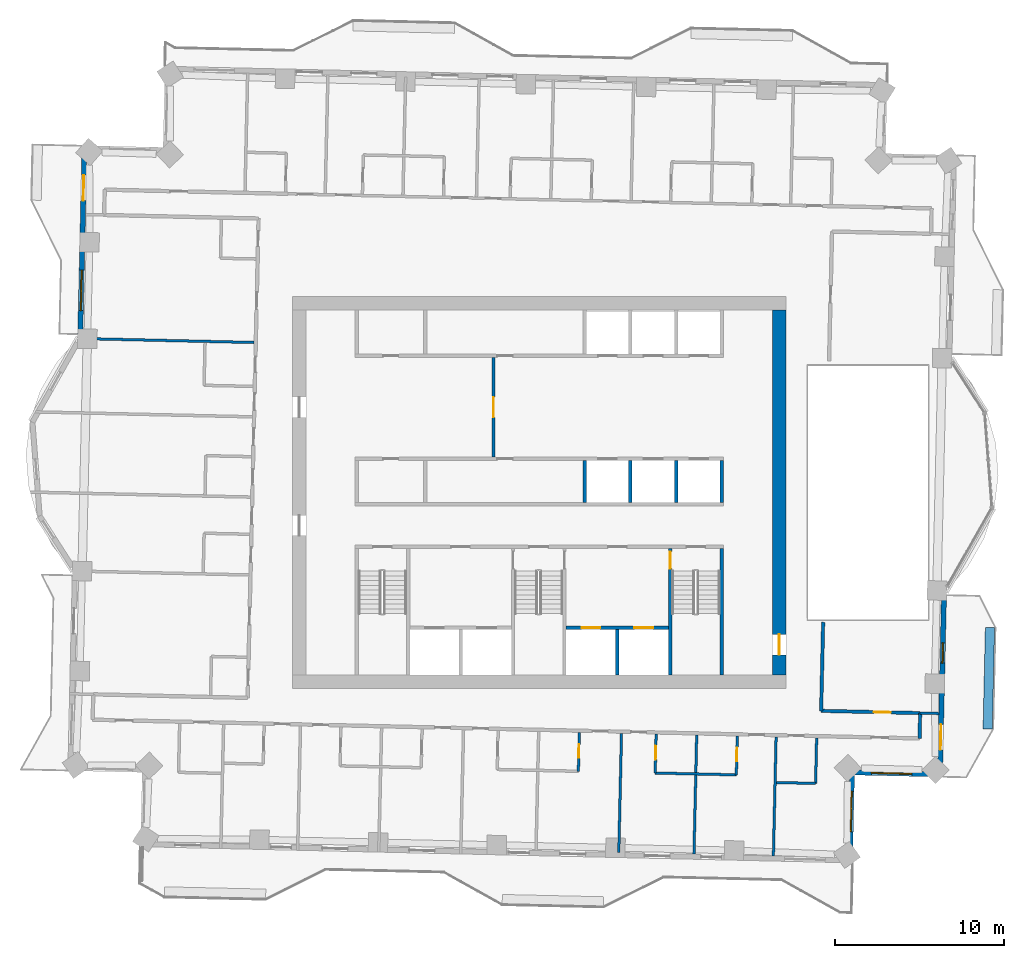
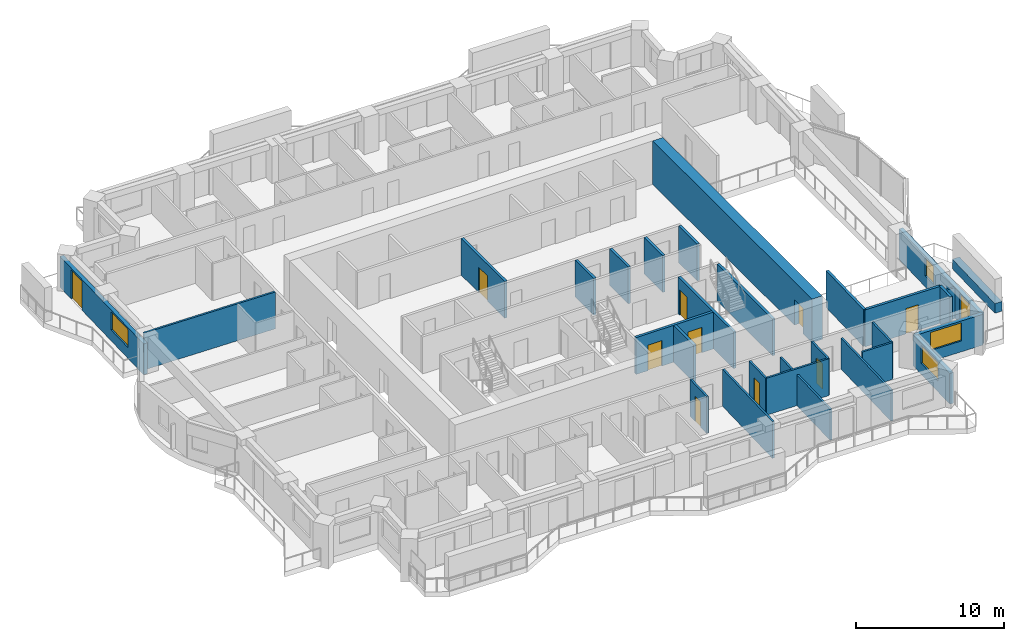
# One storey, part 7 of 14: 29 walls, 11 doors, 4 windows, 15 openings.
"""IFC4 building model written with IfcOpenShell, lengths in metres."""

from ifc_helpers import new_model, si_unit, direction, frame, frame_2d, origin, place, context, subcontext, project, spatial, rectangle, extrude, material, layer, layer_set, type_object, element, fill, save


model = new_model("IFC4")

# Units and contexts
model_context = context("Model", 3, precision=1e-05, world=origin(), true_north=direction((0.0, 1.0)))
body_context = subcontext(model_context, "Body", "Model", "MODEL_VIEW")
ifc_project = project(units=[si_unit("LENGTHUNIT", "METRE"), si_unit("AREAUNIT", "SQUARE_METRE"), si_unit("VOLUMEUNIT", "CUBIC_METRE"), si_unit("PLANEANGLEUNIT", "RADIAN"), si_unit("MASSUNIT", "GRAM", prefix="KILO")], contexts=[model_context])

# Site, building, storey
site_placement = place(None, origin())
site = spatial("IfcSite", under=ifc_project, at=site_placement, CompositionType="ELEMENT")
building_placement = place(site_placement, origin())
building = spatial("IfcBuilding", under=site, at=building_placement, Name="Mangrove Gate Tower", CompositionType="ELEMENT")
storey_placement = place(building_placement, frame((0.0, 0.0, 205.10009765625)))
storey = spatial("IfcBuildingStorey", under=building, at=storey_placement, Name="L52", CompositionType="ELEMENT", Elevation=205.10009765625)

# Wall, opening, door
ifc_material_1 = material(Name="Concrete C32/40", Category="concrete")
ifc_layer_1 = layer(ifc_material_1, 0.199951171875)
ifc_layer_set_1 = layer_set([ifc_layer_1], Name="Core lobby wall 200 C32/40")
wall_type_1 = type_object("IfcWallType", Name="Core lobby wall 200 C32/40", PredefinedType="STANDARD", material=ifc_layer_set_1)
wall_1_placement = place(storey_placement, frame((-2.699951171875, 2.10009765625, 0.0), z_axis=(0.0, 0.0, 1.0), x_axis=(0.0, 1.0, 0.0)))
wall_1 = element("IfcWall", 1, at=wall_1_placement, inside=storey, type_object=wall_type_1, Name="WALL-L52-CORE-31", PredefinedType="STANDARD", context=body_context, shape_type="SweptSolid", body=[
    extrude(rectangle(XDim=5.89990234375, YDim=0.199951171875, at=frame_2d((2.949951171875, 0.0))), origin(), (0.0, 0.0, 1.0), 3.0498046875),
])
opening_1_placement = place(wall_1_placement, frame((2.35009765625, 0.0, 0.0)))
opening_1 = element("IfcOpeningElement", 2, at=opening_1_placement, cuts=wall_1, Name="Opening FL12", PredefinedType="OPENING", context=body_context, shape_type="SweptSolid", body=[
    extrude(rectangle(XDim=1.199951171875, YDim=2.10009765625, at=frame_2d((0.60009765625, 1.050048828125))), frame((0.0, 0.10986328125, 0.0), z_axis=(0.0, -1.0, 0.0), x_axis=(1.0, 0.0, 0.0)), (0.0, 0.0, 1.0), 0.219970703125),
])
ifc_material_2 = material(Name="Fire-rated steel door set", Category="steel")
door_type_1 = type_object("IfcDoorType", Name="Lobby door FD60 1200x2100", OperationType="SINGLE_SWING_LEFT", PredefinedType="DOOR", material=ifc_material_2)
door_1_placement = place(opening_1_placement, origin())
door_1 = element("IfcDoor", 3, at=door_1_placement, inside=storey, type_object=door_type_1, Name="Lobby door lift lobby partition", OperationType="SINGLE_SWING_LEFT", OverallHeight=2.10009765625, OverallWidth=1.199951171875, PredefinedType="DOOR", context=body_context, shape_type="SweptSolid", body=[
    extrude(rectangle(XDim=1.199951171875, YDim=2.10009765625, at=frame_2d((0.60009765625, 1.050048828125))), frame((0.0, 0.02490234375, 0.0), z_axis=(0.0, -1.0, 0.0), x_axis=(1.0, 0.0, 0.0)), (0.0, 0.0, 1.0), 0.050048828125),
])
fill(opening_1, door_1)

# Wall, openings, doors
ifc_material_3 = material(Name="Concrete C60/75", Category="concrete")
ifc_layer_2 = layer(ifc_material_3, 0.199951171875)
ifc_layer_set_2 = layer_set([ifc_layer_2], Name="Core shaft wall 200 C60/75")
wall_type_2 = type_object("IfcWallType", Name="Core shaft wall 200 C60/75", PredefinedType="SHEAR", material=ifc_layer_set_2)
wall_2_placement = place(storey_placement, frame((1.60009765625, -8.0, 0.0), z_axis=(0.0, 0.0, 1.0), x_axis=(1.0, 0.0, 0.0)))
wall_2 = element("IfcWall", 4, at=wall_2_placement, inside=storey, type_object=wall_type_2, Name="WALL-L52-CORE-17", PredefinedType="SHEAR", context=body_context, shape_type="SweptSolid", body=[
    extrude(rectangle(XDim=6.0498046875, YDim=0.199951171875, at=frame_2d((3.02490234375, 0.0))), origin(), (0.0, 0.0, 1.0), 3.0498046875),
])
opening_2_placement = place(wall_2_placement, frame((0.91259765625, 0.0, 0.0)))
opening_2 = element("IfcOpeningElement", 5, at=opening_2_placement, cuts=wall_2, Name="Opening LD", PredefinedType="OPENING", context=body_context, shape_type="SweptSolid", body=[
    extrude(rectangle(XDim=1.10009765625, YDim=2.10009765625, at=frame_2d((0.550048828125, 1.050048828125))), frame((0.0, 0.10986328125, 0.0), z_axis=(0.0, -1.0, 0.0), x_axis=(1.0, 0.0, 0.0)), (0.0, 0.0, 1.0), 0.219970703125),
])
opening_3_placement = place(wall_2_placement, frame((4.03759765625, 0.0, 0.0)))
opening_3 = element("IfcOpeningElement", 6, at=opening_3_placement, cuts=wall_2, Name="Opening LD", PredefinedType="OPENING", context=body_context, shape_type="SweptSolid", body=[
    extrude(rectangle(XDim=1.10009765625, YDim=2.10009765625, at=frame_2d((0.550048828125, 1.050048828125))), frame((0.0, 0.10986328125, 0.0), z_axis=(0.0, -1.0, 0.0), x_axis=(1.0, 0.0, 0.0)), (0.0, 0.0, 1.0), 0.219970703125),
])
ifc_material_4 = material(Name="Stainless steel 316", Category="steel")
door_type_2 = type_object("IfcDoorType", Name="Lift landing door 1100x2100", OperationType="SLIDING_TO_LEFT", PredefinedType="DOOR", material=ifc_material_4)
door_2_placement = place(opening_2_placement, origin())
door_2 = element("IfcDoor", 7, at=door_2_placement, inside=storey, type_object=door_type_2, Name="Landing door LD FFL1", OperationType="SLIDING_TO_LEFT", OverallHeight=2.10009765625, OverallWidth=1.10009765625, PredefinedType="DOOR", context=body_context, shape_type="SweptSolid", body=[
    extrude(rectangle(XDim=1.10009765625, YDim=2.10009765625, at=frame_2d((0.550048828125, 1.050048828125))), frame((0.0, 0.02490234375, 0.0), z_axis=(0.0, -1.0, 0.0), x_axis=(1.0, 0.0, 0.0)), (0.0, 0.0, 1.0), 0.050048828125),
])
fill(opening_2, door_2)
door_3_placement = place(opening_3_placement, origin())
door_3 = element("IfcDoor", 8, at=door_3_placement, inside=storey, type_object=door_type_2, Name="Landing door LD FFL2", OperationType="SLIDING_TO_LEFT", OverallHeight=2.10009765625, OverallWidth=1.10009765625, PredefinedType="DOOR", context=body_context, shape_type="SweptSolid", body=[
    extrude(rectangle(XDim=1.10009765625, YDim=2.10009765625, at=frame_2d((0.550048828125, 1.050048828125))), frame((0.0, 0.02490234375, 0.0), z_axis=(0.0, -1.0, 0.0), x_axis=(1.0, 0.0, 0.0)), (0.0, 0.0, 1.0), 0.050048828125),
])
fill(opening_3, door_3)

# Walls
wall_3_placement = place(storey_placement, frame((4.625, -10.800048828125, 0.0), z_axis=(0.0, 0.0, 1.0), x_axis=(0.0, 1.0, 0.0)))
element("IfcWall", 9, at=wall_3_placement, inside=storey, type_object=wall_type_2, Name="WALL-L52-CORE-18", PredefinedType="SHEAR", context=body_context, shape_type="SweptSolid", body=[
    extrude(rectangle(XDim=2.699951171875, YDim=0.199951171875, at=frame_2d((1.35009765625, 0.0))), origin(), (0.0, 0.0, 1.0), 3.0498046875),
])
for number, where, z_axis, x_axis, name in (
    (10, (2.699951171875, -0.60009765625, 0.0), (0.0, 0.0, 1.0), (0.0, 1.0, 0.0), "WALL-L52-CORE-21"),
    (11, (5.39990234375, -0.60009765625, 0.0), (0.0, 0.0, 1.0), (0.0, 1.0, 0.0), "WALL-L52-CORE-22"),
    (12, (8.10009765625, -0.60009765625, 0.0), (0.0, 0.0, 1.0), (0.0, 1.0, 0.0), "WALL-L52-CORE-23"),
    (13, (10.800048828125, -0.60009765625, 0.0), (0.0, 0.0, 1.0), (0.0, 1.0, 0.0), "WALL-L52-CORE-24"),
):
    element("IfcWall", number, at=place(storey_placement, frame(where, z_axis=z_axis, x_axis=x_axis)), inside=storey, type_object=wall_type_2, Name=name, PredefinedType="SHEAR", context=body_context, shape_type="SweptSolid", body=[
        extrude(rectangle(XDim=2.5, YDim=0.199951171875, at=frame_2d((1.25, 0.0))), origin(), (0.0, 0.0, 1.0), 3.0498046875),
    ])

# Wall, opening, door
ifc_material_5 = material(Name="Concrete C60/75", Category="concrete")
ifc_layer_3 = layer(ifc_material_5, 0.199951171875)
ifc_layer_set_3 = layer_set([ifc_layer_3], Name="Core stair wall 200 C60/75")
wall_type_3 = type_object("IfcWallType", Name="Core stair wall 200 C60/75", PredefinedType="SHEAR", material=ifc_layer_set_3)
wall_4_placement = place(storey_placement, frame((7.75, -10.800048828125, 0.0), z_axis=(0.0, 0.0, 1.0), x_axis=(0.0, 1.0, 0.0)))
wall_4 = element("IfcWall", 14, at=wall_4_placement, inside=storey, type_object=wall_type_3, Name="WALL-L52-CORE-13", PredefinedType="SHEAR", context=body_context, shape_type="SweptSolid", body=[
    extrude(rectangle(XDim=7.5, YDim=0.199951171875, at=frame_2d((3.75, 0.0))), origin(), (0.0, 0.0, 1.0), 3.0498046875),
])
opening_4_placement = place(wall_4_placement, frame((6.300048828125, 0.0, 0.0)))
opening_4 = element("IfcOpeningElement", 15, at=opening_4_placement, cuts=wall_4, Name="Opening STD10", PredefinedType="OPENING", context=body_context, shape_type="SweptSolid", body=[
    extrude(rectangle(XDim=1.0, YDim=2.10009765625, at=frame_2d((0.5, 1.050048828125))), frame((0.0, 0.10986328125, 0.0), z_axis=(0.0, -1.0, 0.0), x_axis=(1.0, 0.0, 0.0)), (0.0, 0.0, 1.0), 0.219970703125),
])
ifc_material_6 = material(Name="Fire-rated steel door set", Category="steel")
door_type_3 = type_object("IfcDoorType", Name="Stair door FD60 1000x2100", OperationType="SINGLE_SWING_RIGHT", PredefinedType="DOOR", material=ifc_material_6)
door_4_placement = place(opening_4_placement, origin())
door_4 = element("IfcDoor", 16, at=door_4_placement, inside=storey, type_object=door_type_3, Name="Stair door Stair 3 from fire-fighting lobby", OperationType="SINGLE_SWING_RIGHT", OverallHeight=2.10009765625, OverallWidth=1.0, PredefinedType="DOOR", context=body_context, shape_type="SweptSolid", body=[
    extrude(rectangle(XDim=1.0, YDim=2.10009765625, at=frame_2d((0.5, 1.050048828125))), frame((0.0, 0.02490234375, 0.0), z_axis=(0.0, -1.0, 0.0), x_axis=(1.0, 0.0, 0.0)), (0.0, 0.0, 1.0), 0.050048828125),
])
fill(opening_4, door_4)

# Wall
wall_5_placement = place(storey_placement, frame((10.800048828125, -10.800048828125, 0.0), z_axis=(0.0, 0.0, 1.0), x_axis=(0.0, 1.0, 0.0)))
element("IfcWall", 17, at=wall_5_placement, inside=storey, type_object=wall_type_3, Name="WALL-L52-CORE-14", PredefinedType="SHEAR", context=body_context, shape_type="SweptSolid", body=[
    extrude(rectangle(XDim=7.5, YDim=0.199951171875, at=frame_2d((3.75, 0.0))), origin(), (0.0, 0.0, 1.0), 3.0498046875),
])

# Wall, opening, door
ifc_material_7 = material(Name="Concrete C60/75", Category="concrete")
ifc_layer_4 = layer(ifc_material_7, 0.800048828125)
ifc_layer_set_4 = layer_set([ifc_layer_4], Name="Core wall 800 C60/75")
wall_type_4 = type_object("IfcWallType", Name="Core wall 800 C60/75", PredefinedType="SHEAR", material=ifc_layer_set_4)
wall_6_placement = place(storey_placement, frame((14.199951171875, -10.800048828125, 0.0), z_axis=(0.0, 0.0, 1.0), x_axis=(0.0, 1.0, 0.0)))
wall_6 = element("IfcWall", 18, at=wall_6_placement, inside=storey, type_object=wall_type_4, Name="WALL-L52-CORE-4", PredefinedType="SHEAR", context=body_context, shape_type="SweptSolid", body=[
    extrude(rectangle(XDim=21.60009765625, YDim=0.800048828125, at=frame_2d((10.800048828125, 0.0))), origin(), (0.0, 0.0, 1.0), 3.599853515625),
])
opening_5_placement = place(wall_6_placement, frame((1.199951171875, 0.0, 0.0)))
opening_5 = element("IfcOpeningElement", 19, at=opening_5_placement, cuts=wall_6, Name="Opening CD", PredefinedType="OPENING", context=body_context, shape_type="SweptSolid", body=[
    extrude(rectangle(XDim=1.199951171875, YDim=2.10009765625, at=frame_2d((0.60009765625, 1.050048828125))), frame((0.0, 0.409912109375, 0.0), z_axis=(0.0, -1.0, 0.0), x_axis=(1.0, 0.0, 0.0)), (0.0, 0.0, 1.0), 0.820068359375),
])
ifc_material_8 = material(Name="Fire-rated steel door set", Category="steel")
door_type_4 = type_object("IfcDoorType", Name="Core ring door FD60 1200x2100", OperationType="DOUBLE_DOOR_SINGLE_SWING", PredefinedType="DOOR", material=ifc_material_8)
door_5_placement = place(opening_5_placement, origin())
door_5 = element("IfcDoor", 20, at=door_5_placement, inside=storey, type_object=door_type_4, Name="Core ring door E1", OperationType="DOUBLE_DOOR_SINGLE_SWING", OverallHeight=2.10009765625, OverallWidth=1.199951171875, PredefinedType="DOOR", context=body_context, shape_type="SweptSolid", body=[
    extrude(rectangle(XDim=1.199951171875, YDim=2.10009765625, at=frame_2d((0.60009765625, 1.050048828125))), frame((0.0, 0.02490234375, 0.0), z_axis=(0.0, -1.0, 0.0), x_axis=(1.0, 0.0, 0.0)), (0.0, 0.0, 1.0), 0.050048828125),
])
fill(opening_5, door_5)

# Wall
ifc_material_9 = material(Name="Gypsum board on steel stud, EI 60", Category="steel")
ifc_layer_5 = layer(ifc_material_9, 0.199951171875)
ifc_layer_set_5 = layer_set([ifc_layer_5], Name="Corridor wall EI 60")
wall_type_5 = type_object("IfcWallType", Name="Corridor wall EI 60", PredefinedType="PARTITIONING", material=ifc_layer_set_5)
wall_7_placement = place(storey_placement, frame((22.509033203125, -14.551025390625, 0.0), z_axis=(0.0, 0.0, 1.0), x_axis=(0.022632637625, 0.99974384905, 0.0)))
element("IfcWall", 21, at=wall_7_placement, inside=storey, type_object=wall_type_5, Name="WALL-L52-026", PredefinedType="PARTITIONING", context=body_context, shape_type="SweptSolid", body=[
    extrude(rectangle(XDim=1.49951171875, YDim=0.199951171875, at=frame_2d((0.749755859375, 0.0))), origin(), (0.0, 0.0, 1.0), 3.0498046875),
])

# Wall, opening, door
wall_8_placement = place(storey_placement, frame((16.678955078125, -12.91796875, 0.0), z_axis=(0.0, 0.0, 1.0), x_axis=(0.999739057042, -0.022843332181, 0.0)))
wall_8 = element("IfcWall", 22, at=wall_8_placement, inside=storey, type_object=wall_type_5, Name="WALL-L52-031", PredefinedType="PARTITIONING", context=body_context, shape_type="SweptSolid", body=[
    extrude(rectangle(XDim=5.867431640625, YDim=0.199951171875, at=frame_2d((2.93359375, 0.0))), origin(), (0.0, 0.0, 1.0), 3.0498046875),
])
opening_6_placement = place(wall_8_placement, frame((3.134033203125, 0.0, 0.0)))
opening_6 = element("IfcOpeningElement", 23, at=opening_6_placement, cuts=wall_8, Name="Opening AD", PredefinedType="OPENING", context=body_context, shape_type="SweptSolid", body=[
    extrude(rectangle(XDim=1.0, YDim=2.10009765625, at=frame_2d((0.5, 1.050048828125))), frame((0.0, 0.10986328125, 0.0), z_axis=(0.0, -1.0, 0.0), x_axis=(1.0, 0.0, 0.0)), (0.0, 0.0, 1.0), 0.219970703125),
])
ifc_material_10 = material(Name="Timber door leaf", Category="wood")
door_type_5 = type_object("IfcDoorType", Name="Amenity door 1000", OperationType="SINGLE_SWING_LEFT", PredefinedType="DOOR", material=ifc_material_10)
door_6_placement = place(opening_6_placement, origin())
door_6 = element("IfcDoor", 24, at=door_6_placement, inside=storey, type_object=door_type_5, Name="DOOR-L52-LNG-c3a", OperationType="SINGLE_SWING_LEFT", OverallHeight=2.10009765625, OverallWidth=1.0, PredefinedType="DOOR", context=body_context, shape_type="SweptSolid", body=[
    extrude(rectangle(XDim=1.0, YDim=2.10009765625, at=frame_2d((0.5, 1.050048828125))), frame((0.0, 0.02490234375, 0.0), z_axis=(0.0, -1.0, 0.0), x_axis=(1.0, 0.0, 0.0)), (0.0, 0.0, 1.0), 0.050048828125),
])
fill(opening_6, door_6)

# Wall
wall_9_placement = place(storey_placement, frame((16.68408203125, -12.9189453125, 0.0), z_axis=(0.0, 0.0, 1.0), x_axis=(0.022667483124, 0.999743059595, 0.0)))
element("IfcWall", 25, at=wall_9_placement, inside=storey, type_object=wall_type_5, Name="WALL-L52-032", PredefinedType="PARTITIONING", context=body_context, shape_type="SweptSolid", body=[
    extrude(rectangle(XDim=5.245361328125, YDim=0.199951171875, at=frame_2d((2.62255859375, 0.0))), origin(), (0.0, 0.0, 1.0), 3.0498046875),
])

# Wall, openings, door, window
ifc_material_11 = material(Name="Limestone", Category="masonry")
ifc_layer_6 = layer(ifc_material_11, 0.0400390625, Name="Limestone cladding")
ifc_material_12 = material(Name="Ventilated air gap")
ifc_layer_7 = layer(ifc_material_12, 0.0400390625, Name="Ventilated cavity")
ifc_material_13 = material(Name="Mineral wool insulation")
ifc_layer_8 = layer(ifc_material_13, 0.06005859375, Name="Insulation")
ifc_material_14 = material(Name="Breather membrane")
ifc_layer_9 = layer(ifc_material_14, 0.001953125, Name="Breather membrane")
ifc_material_15 = material(Name="Concrete C20/25 blockwork", Category="masonry")
ifc_layer_10 = layer(ifc_material_15, 0.14990234375, Name="Blockwork backing wall")
ifc_material_16 = material(Name="Gypsum plaster")
ifc_layer_11 = layer(ifc_material_16, 0.008056640625, Name="Internal plaster")
ifc_layer_set_6 = layer_set([ifc_layer_6, ifc_layer_7, ifc_layer_8, ifc_layer_9, ifc_layer_10, ifc_layer_11], Name="External wall 300 limestone cladding")
wall_type_6 = type_object("IfcWallType", Name="External wall 300 limestone cladding", PredefinedType="SOLIDWALL", material=ifc_layer_set_6)
wall_10_placement = place(storey_placement, frame((23.712890625, -16.678955078125, 0.0), z_axis=(0.0, 0.0, 1.0), x_axis=(0.022674801414, 0.999742893639, 0.0)))
wall_10 = element("IfcWall", 26, at=wall_10_placement, inside=storey, type_object=wall_type_6, Name="WALL-L52-E0s1", PredefinedType="SOLIDWALL", context=body_context, shape_type="SweptSolid", body=[
    extrude(rectangle(XDim=11.423828125, YDim=0.300048828125, at=frame_2d((5.7119140625, 0.0))), origin(), (0.0, 0.0, 1.0), 2.5498046875),
])
opening_7_placement = place(wall_10_placement, frame((1.4541015625, 0.0, 0.0)))
opening_7 = element("IfcOpeningElement", 27, at=opening_7_placement, cuts=wall_10, Name="Opening BD1", PredefinedType="OPENING", context=body_context, shape_type="SweptSolid", body=[
    extrude(rectangle(XDim=1.5, YDim=2.39990234375, at=frame_2d((0.75, 1.199951171875))), frame((0.0, 0.159912109375, 0.0), z_axis=(0.0, -1.0, 0.0), x_axis=(1.0, 0.0, 0.0)), (0.0, 0.0, 1.0), 0.320068359375),
])
opening_8_placement = place(wall_10_placement, frame((6.589111328125, 0.0, 0.89990234375)))
opening_8 = element("IfcOpeningElement", 28, at=opening_8_placement, cuts=wall_10, Name="Opening W1", PredefinedType="OPENING", context=body_context, shape_type="SweptSolid", body=[
    extrude(rectangle(XDim=1.199951171875, YDim=1.5, at=frame_2d((0.60009765625, 0.75))), frame((0.0, 0.159912109375, 0.0), z_axis=(0.0, -1.0, 0.0), x_axis=(1.0, 0.0, 0.0)), (0.0, 0.0, 1.0), 0.320068359375),
])
ifc_material_17 = material(Name="Aluminium frame with laminated clear glass", Category="aluminium")
door_type_6 = type_object("IfcDoorType", Name="Balcony sliding door 1500x2400", OperationType="SLIDING_TO_LEFT", PredefinedType="DOOR", material=ifc_material_17)
door_7_placement = place(opening_7_placement, origin())
door_7 = element("IfcDoor", 29, at=door_7_placement, inside=storey, type_object=door_type_6, Name="DOOR-L52-E0-1", OperationType="SLIDING_TO_LEFT", OverallHeight=2.39990234375, OverallWidth=1.5, PredefinedType="DOOR", context=body_context, shape_type="SweptSolid", body=[
    extrude(rectangle(XDim=1.5, YDim=2.39990234375, at=frame_2d((0.75, 1.199951171875))), frame((0.0, 0.02490234375, 0.0), z_axis=(0.0, -1.0, 0.0), x_axis=(1.0, 0.0, 0.0)), (0.0, 0.0, 1.0), 0.050048828125),
])
fill(opening_7, door_7)
ifc_material_18 = material(Name="Aluminium frame with double-glazed low-e glass", Category="aluminium")
window_type_1 = type_object("IfcWindowType", Name="Side lite 1200x1500", PartitioningType="SINGLE_PANEL", PredefinedType="WINDOW", material=ifc_material_18)
window_1_placement = place(opening_8_placement, origin())
window_1 = element("IfcWindow", 30, at=window_1_placement, inside=storey, type_object=window_type_1, Name="WIN-L52-E0-2", OverallHeight=1.5, OverallWidth=1.199951171875, PartitioningType="SINGLE_PANEL", PredefinedType="WINDOW", context=body_context, shape_type="SweptSolid", body=[
    extrude(rectangle(XDim=1.199951171875, YDim=1.5, at=frame_2d((0.60009765625, 0.75))), frame((0.0, 0.030029296875, 0.0), z_axis=(0.0, -1.0, 0.0), x_axis=(1.0, 0.0, 0.0)), (0.0, 0.0, 1.0), 0.06005859375),
])
fill(opening_8, window_1)

wall_11_placement = place(storey_placement, frame((-26.904052734375, 20.37890625, 0.0), z_axis=(0.0, 0.0, 1.0), x_axis=(-0.022671687694, -0.999742964255, 0.0)))
wall_11 = element("IfcWall", 31, at=wall_11_placement, inside=storey, type_object=wall_type_6, Name="WALL-L52-W8s1", PredefinedType="SOLIDWALL", context=body_context, shape_type="SweptSolid", body=[
    extrude(rectangle(XDim=11.82373046875, YDim=0.300048828125, at=frame_2d((5.911865234375, 0.0))), origin(), (0.0, 0.0, 1.0), 2.5498046875),
])
opening_9_placement = place(wall_11_placement, frame((1.60302734375, 0.0, 0.0)))
opening_9 = element("IfcOpeningElement", 32, at=opening_9_placement, cuts=wall_11, Name="Opening BD1", PredefinedType="OPENING", context=body_context, shape_type="SweptSolid", body=[
    extrude(rectangle(XDim=1.5, YDim=2.39990234375, at=frame_2d((0.75, 1.199951171875))), frame((0.0, 0.159912109375, 0.0), z_axis=(0.0, -1.0, 0.0), x_axis=(1.0, 0.0, 0.0)), (0.0, 0.0, 1.0), 0.320068359375),
])
opening_10_placement = place(wall_11_placement, frame((7.218017578125, 0.0, 0.89990234375)))
opening_10 = element("IfcOpeningElement", 33, at=opening_10_placement, cuts=wall_11, Name="Opening W2", PredefinedType="OPENING", context=body_context, shape_type="SweptSolid", body=[
    extrude(rectangle(XDim=2.39990234375, YDim=1.5, at=frame_2d((1.199951171875, 0.75))), frame((0.0, 0.159912109375, 0.0), z_axis=(0.0, -1.0, 0.0), x_axis=(1.0, 0.0, 0.0)), (0.0, 0.0, 1.0), 0.320068359375),
])
door_8_placement = place(opening_9_placement, origin())
door_8 = element("IfcDoor", 34, at=door_8_placement, inside=storey, type_object=door_type_6, Name="DOOR-L52-W8-1", OperationType="SLIDING_TO_LEFT", OverallHeight=2.39990234375, OverallWidth=1.5, PredefinedType="DOOR", context=body_context, shape_type="SweptSolid", body=[
    extrude(rectangle(XDim=1.5, YDim=2.39990234375, at=frame_2d((0.75, 1.199951171875))), frame((0.0, 0.02490234375, 0.0), z_axis=(0.0, -1.0, 0.0), x_axis=(1.0, 0.0, 0.0)), (0.0, 0.0, 1.0), 0.050048828125),
])
fill(opening_9, door_8)
ifc_material_19 = material(Name="Aluminium frame with double-glazed low-e glass", Category="aluminium")
window_type_2 = type_object("IfcWindowType", Name="Corner room window 2400x1500", PartitioningType="DOUBLE_PANEL_VERTICAL", PredefinedType="WINDOW", material=ifc_material_19)
window_2_placement = place(opening_10_placement, origin())
window_2 = element("IfcWindow", 35, at=window_2_placement, inside=storey, type_object=window_type_2, Name="WIN-L52-W8-2", OverallHeight=1.5, OverallWidth=2.39990234375, PartitioningType="DOUBLE_PANEL_VERTICAL", PredefinedType="WINDOW", context=body_context, shape_type="SweptSolid", body=[
    extrude(rectangle(XDim=2.39990234375, YDim=1.5, at=frame_2d((1.199951171875, 0.75))), frame((0.0, 0.030029296875, 0.0), z_axis=(0.0, -1.0, 0.0), x_axis=(1.0, 0.0, 0.0)), (0.0, 0.0, 1.0), 0.06005859375),
])
fill(opening_10, window_2)

# Wall, opening, window
wall_12_placement = place(storey_placement, frame((18.39599609375, -21.760009765625, 0.0), z_axis=(0.0, 0.0, 1.0), x_axis=(0.022675548694, 0.99974287669, 0.0)))
wall_12 = element("IfcWall", 36, at=wall_12_placement, inside=storey, type_object=wall_type_6, Name="WALL-L52-E14", PredefinedType="SOLIDWALL", context=body_context, shape_type="SweptSolid", body=[
    extrude(rectangle(XDim=5.2001953125, YDim=0.300048828125, at=frame_2d((2.60009765625, 0.0))), origin(), (0.0, 0.0, 1.0), 2.5498046875),
])
opening_11_placement = place(wall_12_placement, frame((1.679931640625, 0.0, 0.89990234375)))
opening_11 = element("IfcOpeningElement", 37, at=opening_11_placement, cuts=wall_12, Name="Opening W2", PredefinedType="OPENING", context=body_context, shape_type="SweptSolid", body=[
    extrude(rectangle(XDim=2.39990234375, YDim=1.5, at=frame_2d((1.199951171875, 0.75))), frame((0.0, 0.159912109375, 0.0), z_axis=(0.0, -1.0, 0.0), x_axis=(1.0, 0.0, 0.0)), (0.0, 0.0, 1.0), 0.320068359375),
])
window_3_placement = place(opening_11_placement, origin())
window_3 = element("IfcWindow", 38, at=window_3_placement, inside=storey, type_object=window_type_2, Name="WIN-L52-E14-1", OverallHeight=1.5, OverallWidth=2.39990234375, PartitioningType="DOUBLE_PANEL_VERTICAL", PredefinedType="WINDOW", context=body_context, shape_type="SweptSolid", body=[
    extrude(rectangle(XDim=2.39990234375, YDim=1.5, at=frame_2d((1.199951171875, 0.75))), frame((0.0, 0.030029296875, 0.0), z_axis=(0.0, -1.0, 0.0), x_axis=(1.0, 0.0, 0.0)), (0.0, 0.0, 1.0), 0.06005859375),
])
fill(opening_11, window_3)

wall_13_placement = place(storey_placement, frame((18.513916015625, -16.56103515625, 0.0), z_axis=(0.0, 0.0, 1.0), x_axis=(0.99974287669, -0.022675548694, 0.0)))
wall_13 = element("IfcWall", 39, at=wall_13_placement, inside=storey, type_object=wall_type_6, Name="WALL-L52-S15", PredefinedType="SOLIDWALL", context=body_context, shape_type="SweptSolid", body=[
    extrude(rectangle(XDim=5.2001953125, YDim=0.300048828125, at=frame_2d((2.60009765625, 0.0))), origin(), (0.0, 0.0, 1.0), 2.5498046875),
])
opening_12_placement = place(wall_13_placement, frame((1.137939453125, 0.0, 0.89990234375)))
opening_12 = element("IfcOpeningElement", 40, at=opening_12_placement, cuts=wall_13, Name="Opening W2", PredefinedType="OPENING", context=body_context, shape_type="SweptSolid", body=[
    extrude(rectangle(XDim=2.39990234375, YDim=1.5, at=frame_2d((1.199951171875, 0.75))), frame((0.0, 0.159912109375, 0.0), z_axis=(0.0, -1.0, 0.0), x_axis=(1.0, 0.0, 0.0)), (0.0, 0.0, 1.0), 0.320068359375),
])
window_4_placement = place(opening_12_placement, origin())
window_4 = element("IfcWindow", 41, at=window_4_placement, inside=storey, type_object=window_type_2, Name="WIN-L52-S15-1", OverallHeight=1.5, OverallWidth=2.39990234375, PartitioningType="DOUBLE_PANEL_VERTICAL", PredefinedType="WINDOW", context=body_context, shape_type="SweptSolid", body=[
    extrude(rectangle(XDim=2.39990234375, YDim=1.5, at=frame_2d((1.199951171875, 0.75))), frame((0.0, 0.030029296875, 0.0), z_axis=(0.0, -1.0, 0.0), x_axis=(1.0, 0.0, 0.0)), (0.0, 0.0, 1.0), 0.06005859375),
])
fill(opening_12, window_4)

# Walls
ifc_material_20 = material(Name="Gypsum board on steel stud, EI 60", Category="steel")
ifc_layer_12 = layer(ifc_material_20, 0.14990234375)
ifc_layer_set_7 = layer_set([ifc_layer_12], Name="Party wall 150 EI 60")
wall_type_7 = type_object("IfcWallType", Name="Party wall 150 EI 60", PredefinedType="PARTITIONING", material=ifc_layer_set_7)
wall_14_placement = place(storey_placement, frame((4.7109375, -21.299072265625, 0.0), z_axis=(0.0, 0.0, 1.0), x_axis=(0.022717472124, 0.999741924929, 0.0)))
element("IfcWall", 42, at=wall_14_placement, inside=storey, type_object=wall_type_7, Name="WALL-L52-006", PredefinedType="PARTITIONING", context=body_context, shape_type="SweptSolid", body=[
    extrude(rectangle(XDim=7.0498046875, YDim=0.14990234375, at=frame_2d((3.52490234375, 0.0))), origin(), (0.0, 0.0, 1.0), 3.0498046875),
])
wall_15_placement = place(storey_placement, frame((9.159912109375, -21.39990234375, 0.0), z_axis=(0.0, 0.0, 1.0), x_axis=(0.022718258661, 0.999741907056, 0.0)))
element("IfcWall", 43, at=wall_15_placement, inside=storey, type_object=wall_type_7, Name="WALL-L52-007", PredefinedType="PARTITIONING", context=body_context, shape_type="SweptSolid", body=[
    extrude(rectangle(XDim=7.049560546875, YDim=0.14990234375, at=frame_2d((3.52490234375, 0.0))), origin(), (0.0, 0.0, 1.0), 2.5498046875),
])
wall_16_placement = place(storey_placement, frame((13.85888671875, -21.507080078125, 0.0), z_axis=(0.0, 0.0, 1.0), x_axis=(0.022714326521, 0.999741996402, 0.0)))
element("IfcWall", 44, at=wall_16_placement, inside=storey, type_object=wall_type_7, Name="WALL-L52-008", PredefinedType="PARTITIONING", context=body_context, shape_type="SweptSolid", body=[
    extrude(rectangle(XDim=7.05078125, YDim=0.14990234375, at=frame_2d((3.525390625, 0.0))), origin(), (0.0, 0.0, 1.0), 2.5498046875),
])
wall_17_placement = place(storey_placement, frame((14.030029296875, -17.158935546875, 0.0), z_axis=(0.0, 0.0, 1.0), x_axis=(0.999740478815, -0.022781023197, 0.0)))
element("IfcWall", 45, at=wall_17_placement, inside=storey, type_object=wall_type_7, Name="WALL-L52-011", PredefinedType="PARTITIONING", context=body_context, shape_type="SweptSolid", body=[
    extrude(rectangle(XDim=2.325439453125, YDim=0.14990234375, at=frame_2d((1.16259765625, 0.0))), origin(), (0.0, 0.0, 1.0), 3.0498046875),
])
wall_18_placement = place(storey_placement, frame((16.35693359375, -17.2119140625, 0.0), z_axis=(0.0, 0.0, 1.0), x_axis=(0.02260842146, 0.999744396973, 0.0)))
element("IfcWall", 46, at=wall_18_placement, inside=storey, type_object=wall_type_7, Name="WALL-L52-012", PredefinedType="PARTITIONING", context=body_context, shape_type="SweptSolid", body=[
    extrude(rectangle(XDim=2.69970703125, YDim=0.14990234375, at=frame_2d((1.349853515625, 0.0))), origin(), (0.0, 0.0, 1.0), 3.0498046875),
])

# Wall, opening, door
wall_19_placement = place(storey_placement, frame((2.319091796875, -16.493896484375, 0.0), z_axis=(0.0, 0.0, 1.0), x_axis=(0.023029983665, 0.999734774754, 0.0)))
wall_19 = element("IfcWall", 47, at=wall_19_placement, inside=storey, type_object=wall_type_7, Name="WALL-L52-020", PredefinedType="PARTITIONING", context=body_context, shape_type="SweptSolid", body=[
    extrude(rectangle(XDim=2.30029296875, YDim=0.14990234375, at=frame_2d((1.150146484375, 0.0))), origin(), (0.0, 0.0, 1.0), 3.0498046875),
])
opening_13_placement = place(wall_19_placement, frame((0.800048828125, 0.0, 0.0)))
opening_13 = element("IfcOpeningElement", 48, at=opening_13_placement, cuts=wall_19, Name="Opening ED", PredefinedType="OPENING", context=body_context, shape_type="SweptSolid", body=[
    extrude(rectangle(XDim=0.800048828125, YDim=2.10009765625, at=frame_2d((0.39990234375, 1.050048828125))), frame((0.0, 0.0849609375, 0.0), z_axis=(0.0, -1.0, 0.0), x_axis=(1.0, 0.0, 0.0)), (0.0, 0.0, 1.0), 0.169921875),
])
ifc_material_21 = material(Name="Timber door leaf", Category="wood")
door_type_7 = type_object("IfcDoorType", Name="En-suite door 800", OperationType="SINGLE_SWING_LEFT", PredefinedType="DOOR", material=ifc_material_21)
door_9_placement = place(opening_13_placement, origin())
door_9 = element("IfcDoor", 49, at=door_9_placement, inside=storey, type_object=door_type_7, Name="DOOR-L52-ENS-c205", OperationType="SINGLE_SWING_LEFT", OverallHeight=2.10009765625, OverallWidth=0.800048828125, PredefinedType="DOOR", context=body_context, shape_type="SweptSolid", body=[
    extrude(rectangle(XDim=0.800048828125, YDim=2.10009765625, at=frame_2d((0.39990234375, 1.050048828125))), frame((0.0, 0.02490234375, 0.0), z_axis=(0.0, -1.0, 0.0), x_axis=(1.0, 0.0, 0.0)), (0.0, 0.0, 1.0), 0.050048828125),
])
fill(opening_13, door_9)

# Wall
wall_20_placement = place(storey_placement, frame((6.865966796875, -16.596923828125, 0.0), z_axis=(0.0, 0.0, 1.0), x_axis=(0.99974154664, -0.022734113616, 0.0)))
element("IfcWall", 50, at=wall_20_placement, inside=storey, type_object=wall_type_7, Name="WALL-L52-021", PredefinedType="PARTITIONING", context=body_context, shape_type="SweptSolid", body=[
    extrude(rectangle(XDim=4.80029296875, YDim=0.14990234375, at=frame_2d((2.400146484375, 0.0))), origin(), (0.0, 0.0, 1.0), 3.0498046875),
])

# Wall, opening, door
wall_21_placement = place(storey_placement, frame((6.867919921875, -16.596923828125, 0.0), z_axis=(0.0, 0.0, 1.0), x_axis=(0.022605686808, 0.999744458811, 0.0)))
wall_21 = element("IfcWall", 51, at=wall_21_placement, inside=storey, type_object=wall_type_7, Name="WALL-L52-022", PredefinedType="PARTITIONING", context=body_context, shape_type="SweptSolid", body=[
    extrude(rectangle(XDim=2.30029296875, YDim=0.14990234375, at=frame_2d((1.150146484375, 0.0))), origin(), (0.0, 0.0, 1.0), 3.0498046875),
])
opening_14_placement = place(wall_21_placement, frame((0.800048828125, 0.0, 0.0)))
opening_14 = element("IfcOpeningElement", 52, at=opening_14_placement, cuts=wall_21, Name="Opening ED", PredefinedType="OPENING", context=body_context, shape_type="SweptSolid", body=[
    extrude(rectangle(XDim=0.800048828125, YDim=2.10009765625, at=frame_2d((0.39990234375, 1.050048828125))), frame((0.0, 0.0849609375, 0.0), z_axis=(0.0, -1.0, 0.0), x_axis=(1.0, 0.0, 0.0)), (0.0, 0.0, 1.0), 0.169921875),
])
door_10_placement = place(opening_14_placement, origin())
door_10 = element("IfcDoor", 53, at=door_10_placement, inside=storey, type_object=door_type_7, Name="DOOR-L52-ENS-c206", OperationType="SINGLE_SWING_RIGHT", OverallHeight=2.10009765625, OverallWidth=0.800048828125, PredefinedType="DOOR", context=body_context, shape_type="SweptSolid", body=[
    extrude(rectangle(XDim=0.800048828125, YDim=2.10009765625, at=frame_2d((0.39990234375, 1.050048828125))), frame((0.0, 0.02490234375, 0.0), z_axis=(0.0, -1.0, 0.0), x_axis=(1.0, 0.0, 0.0)), (0.0, 0.0, 1.0), 0.050048828125),
])
fill(opening_14, door_10)

wall_22_placement = place(storey_placement, frame((11.6669921875, -16.7060546875, 0.0), z_axis=(0.0, 0.0, 1.0), x_axis=(0.022603288534, 0.999744513037, 0.0)))
wall_22 = element("IfcWall", 54, at=wall_22_placement, inside=storey, type_object=wall_type_7, Name="WALL-L52-023", PredefinedType="PARTITIONING", context=body_context, shape_type="SweptSolid", body=[
    extrude(rectangle(XDim=2.300537109375, YDim=0.14990234375, at=frame_2d((1.150390625, 0.0))), origin(), (0.0, 0.0, 1.0), 3.0498046875),
])
opening_15_placement = place(wall_22_placement, frame((0.800048828125, 0.0, 0.0)))
opening_15 = element("IfcOpeningElement", 55, at=opening_15_placement, cuts=wall_22, Name="Opening ED", PredefinedType="OPENING", context=body_context, shape_type="SweptSolid", body=[
    extrude(rectangle(XDim=0.800048828125, YDim=2.10009765625, at=frame_2d((0.39990234375, 1.050048828125))), frame((0.0, 0.0849609375, 0.0), z_axis=(0.0, -1.0, 0.0), x_axis=(1.0, 0.0, 0.0)), (0.0, 0.0, 1.0), 0.169921875),
])
door_11_placement = place(opening_15_placement, origin())
door_11 = element("IfcDoor", 56, at=door_11_placement, inside=storey, type_object=door_type_7, Name="DOOR-L52-ENS-c307", OperationType="SINGLE_SWING_LEFT", OverallHeight=2.10009765625, OverallWidth=0.800048828125, PredefinedType="DOOR", context=body_context, shape_type="SweptSolid", body=[
    extrude(rectangle(XDim=0.800048828125, YDim=2.10009765625, at=frame_2d((0.39990234375, 1.050048828125))), frame((0.0, 0.02490234375, 0.0), z_axis=(0.0, -1.0, 0.0), x_axis=(1.0, 0.0, 0.0)), (0.0, 0.0, 1.0), 0.050048828125),
])
fill(opening_15, door_11)

# Walls
wall_23_placement = place(storey_placement, frame((22.541015625, -13.051025390625, 0.0), z_axis=(0.0, 0.0, 1.0), x_axis=(0.999725373977, -0.023434517833, 0.0)))
element("IfcWall", 57, at=wall_23_placement, inside=storey, type_object=wall_type_7, Name="WALL-L52-033", PredefinedType="PARTITIONING", context=body_context, shape_type="SweptSolid", body=[
    extrude(rectangle(XDim=1.104248046875, YDim=0.14990234375, at=frame_2d((0.55224609375, 0.0))), origin(), (0.0, 0.0, 1.0), 2.5498046875),
])
wall_24_placement = place(storey_placement, frame((-27.010009765625, 9.10791015625, 0.0), z_axis=(0.0, 0.0, 1.0), x_axis=(0.999742841246, -0.022677111331, 0.0)))
element("IfcWall", 58, at=wall_24_placement, inside=storey, type_object=wall_type_7, Name="WALL-L52-045", PredefinedType="PARTITIONING", context=body_context, shape_type="SweptSolid", body=[
    extrude(rectangle(XDim=10.1416015625, YDim=0.14990234375, at=frame_2d((5.07080078125, 0.0))), origin(), (0.0, 0.0, 1.0), 3.0498046875),
])
ifc_material_22 = material(Name="Concrete C32/40", Category="concrete")
ifc_layer_13 = layer(ifc_material_22, 0.199951171875, Name="Planter trough wall")
ifc_material_23 = material(Name="Bituminous waterproofing membrane")
ifc_layer_14 = layer(ifc_material_23, 0.0048828125, Name="Waterproofing")
ifc_material_24 = material(Name="Drainage board and gravel")
ifc_layer_15 = layer(ifc_material_24, 0.044921875, Name="Drainage layer")
ifc_material_25 = material(Name="Planting soil")
ifc_layer_16 = layer(ifc_material_25, 0.300048828125, Name="Growing medium")
ifc_layer_set_8 = layer_set([ifc_layer_13, ifc_layer_14, ifc_layer_15, ifc_layer_16], Name="Planter wall 550 C32/40")
wall_type_8 = type_object("IfcWallType", Name="Planter wall 550 C32/40", PredefinedType="USERDEFINED", material=ifc_layer_set_8)
wall_25_placement = place(storey_placement, frame((26.5390625, -13.992919921875, 0.0), z_axis=(0.0, 0.0, 1.0), x_axis=(0.022662255828, 0.999743178102, 0.0)))
element("IfcWall", 59, at=wall_25_placement, inside=storey, type_object=wall_type_8, Name="PLANTER L52 E0.1", ObjectType="PLANTER", PredefinedType="USERDEFINED", context=body_context, shape_type="SweptSolid", body=[
    extrude(rectangle(XDim=6.00048828125, YDim=0.550048828125, at=frame_2d((3.000244140625, 0.0))), origin(), (0.0, 0.0, 1.0), 0.7998046875),
])

save(model, "model.ifc")
